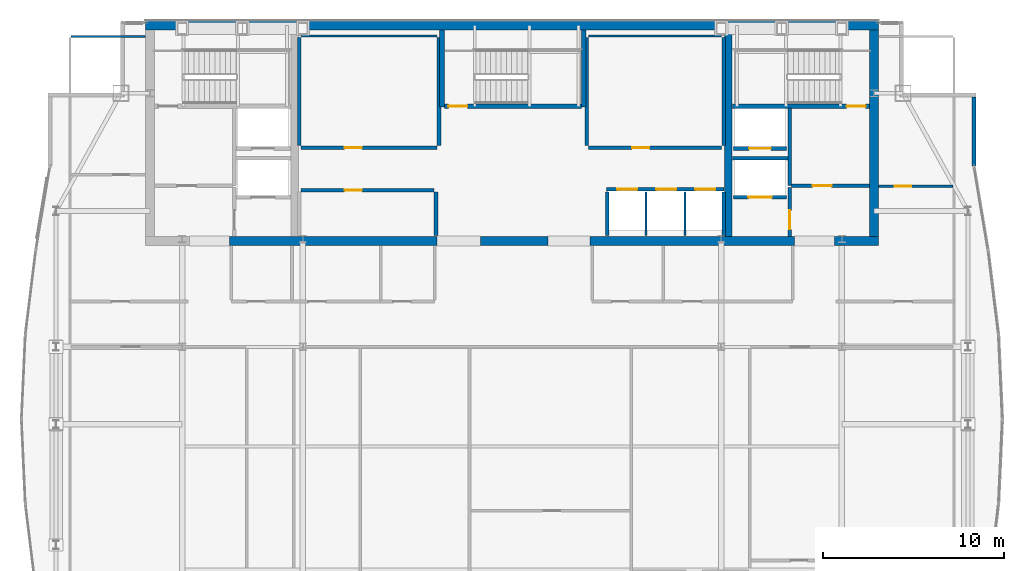
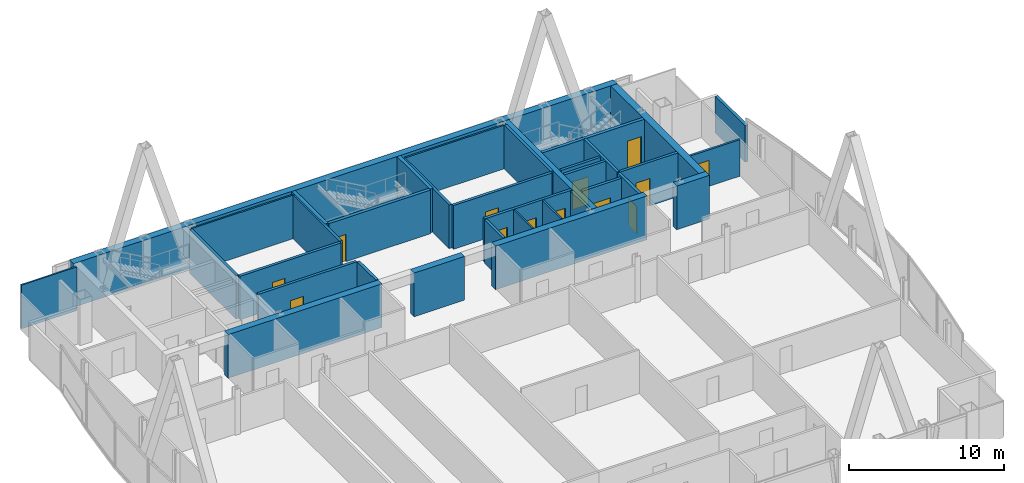
# One storey, part 26 of 29: 35 walls, 13 doors, 13 openings.
"""IFC4 building model written with IfcOpenShell, lengths in metres."""

from ifc_helpers import new_model, si_unit, direction, frame, frame_2d, origin, place, context, subcontext, project, spatial, rectangle, extrude, material, layer, layer_set, type_object, element, fill, save


model = new_model("IFC4")

# Units and contexts
model_context = context("Model", 3, precision=1e-05, world=origin(), true_north=direction((0.0, 1.0)))
body_context = subcontext(model_context, "Body", "Model", "MODEL_VIEW")
ifc_project = project(units=[si_unit("LENGTHUNIT", "METRE"), si_unit("AREAUNIT", "SQUARE_METRE"), si_unit("VOLUMEUNIT", "CUBIC_METRE"), si_unit("PLANEANGLEUNIT", "RADIAN"), si_unit("MASSUNIT", "GRAM", prefix="KILO")], contexts=[model_context])

# Site, building, storey
site_placement = place(None, origin())
site = spatial("IfcSite", under=ifc_project, at=site_placement, CompositionType="ELEMENT")
building_placement = place(site_placement, origin())
building = spatial("IfcBuilding", under=site, at=building_placement, Name="Khoronbel Lancet Exchange", CompositionType="ELEMENT")
storey_placement = place(building_placement, frame((0.0, 0.0, 336.199951171875)))
storey = spatial("IfcBuildingStorey", under=building, at=storey_placement, Name="L87", CompositionType="ELEMENT", Elevation=336.199951171875)

# Walls
ifc_material_1 = material(Name="Concrete C60/75", Category="concrete")
ifc_layer_1 = layer(ifc_material_1, 0.5, Name="Concrete C60/75")
ifc_layer_set_1 = layer_set([ifc_layer_1], Name="Concrete C60/75")
wall_type_1 = type_object("IfcWallType", Name="WL-CW4", PredefinedType="SHEAR", material=ifc_layer_set_1)
wall_1_placement = place(storey_placement, frame((16.199951171875, 53.449951171875, 0.0), z_axis=(0.0, 0.0, 1.0), x_axis=(1.0, 0.0, 0.0)))
element("IfcWall", 1, at=wall_1_placement, inside=storey, type_object=wall_type_1, Name="Level L87 rear core north shear wall", PredefinedType="SHEAR", context=body_context, shape_type="SweptSolid", body=[
    extrude(rectangle(XDim=40.5, YDim=0.5, at=frame_2d((20.25, 0.0))), origin(), (0.0, 0.0, 1.0), 3.43994140625),
])
wall_2_placement = place(storey_placement, frame((56.449951171875, 53.199951171875, 0.0), z_axis=(0.0, 0.0, 1.0), x_axis=(0.0, -1.0, 0.0)))
element("IfcWall", 2, at=wall_2_placement, inside=storey, type_object=wall_type_1, Name="Level L87 rear core east shear wall", PredefinedType="SHEAR", context=body_context, shape_type="SweptSolid", body=[
    extrude(rectangle(XDim=11.39990234375, YDim=0.5, at=frame_2d((5.699951171875, 0.0))), origin(), (0.0, 0.0, 1.0), 3.43994140625),
])
wall_3_placement = place(storey_placement, frame((32.300048828125, 41.550048828125, 0.0), z_axis=(0.0, 0.0, 1.0), x_axis=(-1.0, 0.0, 0.0)))
element("IfcWall", 3, at=wall_3_placement, inside=storey, type_object=wall_type_1, Name="Level L87 rear core south shear wall pier P2", PredefinedType="SHEAR", context=body_context, shape_type="SweptSolid", body=[
    extrude(rectangle(XDim=11.449951171875, YDim=0.5, at=frame_2d((5.72509765625, 0.0))), origin(), (0.0, 0.0, 1.0), 3.43994140625),
])
wall_4_placement = place(storey_placement, frame((38.449951171875, 41.550048828125, 0.0), z_axis=(0.0, 0.0, 1.0), x_axis=(-1.0, 0.0, 0.0)))
element("IfcWall", 4, at=wall_4_placement, inside=storey, type_object=wall_type_1, Name="Level L87 rear core south shear wall pier P3", PredefinedType="SHEAR", context=body_context, shape_type="SweptSolid", body=[
    extrude(rectangle(XDim=3.75, YDim=0.5, at=frame_2d((1.875, 0.0))), origin(), (0.0, 0.0, 1.0), 3.43994140625),
])
wall_5_placement = place(storey_placement, frame((52.050048828125, 41.550048828125, 0.0), z_axis=(0.0, 0.0, 1.0), x_axis=(-1.0, 0.0, 0.0)))
element("IfcWall", 5, at=wall_5_placement, inside=storey, type_object=wall_type_1, Name="Level L87 rear core south shear wall pier P4", PredefinedType="SHEAR", context=body_context, shape_type="SweptSolid", body=[
    extrude(rectangle(XDim=11.300048828125, YDim=0.5, at=frame_2d((5.64990234375, 0.0))), origin(), (0.0, 0.0, 1.0), 3.43994140625),
])
wall_6_placement = place(storey_placement, frame((56.699951171875, 41.550048828125, 0.0), z_axis=(0.0, 0.0, 1.0), x_axis=(-1.0, 0.0, 0.0)))
element("IfcWall", 6, at=wall_6_placement, inside=storey, type_object=wall_type_1, Name="Level L87 rear core south shear wall pier P5", PredefinedType="SHEAR", context=body_context, shape_type="SweptSolid", body=[
    extrude(rectangle(XDim=2.449951171875, YDim=0.5, at=frame_2d((1.22509765625, 0.0))), origin(), (0.0, 0.0, 1.0), 3.43994140625),
])
ifc_material_2 = material(Name="Precast concrete C40/50", Category="concrete")
ifc_layer_2 = layer(ifc_material_2, 0.25, Name="Precast concrete C40/50")
ifc_layer_set_2 = layer_set([ifc_layer_2], Name="Precast concrete C40/50")
wall_type_2 = type_object("IfcWallType", Name="WL-EXT250", PredefinedType="SOLIDWALL", material=ifc_layer_set_2)
wall_7_placement = place(storey_placement, frame((61.9599609375, 49.5, 0.0), z_axis=(0.0, 0.0, 1.0), x_axis=(0.0, -1.0, 0.0)))
element("IfcWall", 7, at=wall_7_placement, inside=storey, type_object=wall_type_2, Name="Level L87 notched-corner limestone pier 16", PredefinedType="SOLIDWALL", context=body_context, shape_type="SweptSolid", body=[
    extrude(rectangle(XDim=3.827392578125, YDim=0.219970703125, at=frame_2d((1.91357421875, 0.0))), origin(), (0.0, 0.0, 1.0), 2.880126953125),
])

# Wall, opening, door
ifc_material_3 = material(Name="Acoustic Metal-Stud & Mineral-Wool Gypsum Partition 120 mm", Category="gypsum")
ifc_layer_3 = layer(ifc_material_3, 0.1201171875, Name="Acoustic Metal-Stud & Mineral-Wool Gypsum Partition 120 mm")
ifc_layer_set_3 = layer_set([ifc_layer_3], Name="Acoustic Metal-Stud & Mineral-Wool Gypsum Partition 120 mm")
wall_type_3 = type_object("IfcWallType", Name="WL-PRT120", PredefinedType="PARTITIONING", material=ifc_layer_set_3)
wall_8_placement = place(storey_placement, frame((56.699951171875, 44.56005859375, 0.0), z_axis=(0.0, 0.0, 1.0), x_axis=(1.0, 0.0, 0.0)))
wall_8 = element("IfcWall", 8, at=wall_8_placement, inside=storey, type_object=wall_type_3, Name="Level L87 interior partition PW-NE-H", PredefinedType="PARTITIONING", context=body_context, shape_type="SweptSolid", body=[
    extrude(rectangle(XDim=4.10498046875, YDim=0.14990234375, at=frame_2d((2.052490234375, 0.0))), origin(), (0.0, 0.0, 1.0), 2.880126953125),
])
opening_1_placement = place(wall_8_placement, frame((0.89990234375, 0.0, 0.0)))
opening_1 = element("IfcOpeningElement", 9, at=opening_1_placement, cuts=wall_8, Name="Opening D5", PredefinedType="OPENING", context=body_context, shape_type="SweptSolid", body=[
    extrude(rectangle(XDim=0.89990234375, YDim=2.050048828125, at=frame_2d((0.449951171875, 1.02490234375))), frame((0.0, 0.0849609375, 0.0), z_axis=(0.0, -1.0, 0.0), x_axis=(1.0, 0.0, 0.0)), (0.0, 0.0, 1.0), 0.169921875),
])
ifc_material_4 = material(Name="Acoustic Timber Pantry & Support Door", Category="wood")
door_type_1 = type_object("IfcDoorType", Name="DR-D5", OperationType="NOTDEFINED", PredefinedType="DOOR", material=ifc_material_4)
door_1_placement = place(opening_1_placement, origin())
door_1 = element("IfcDoor", 10, at=door_1_placement, inside=storey, type_object=door_type_1, Name="NE north room door L87-1", OperationType="SINGLE_SWING_LEFT", OverallHeight=2.050048828125, OverallWidth=0.89990234375, PredefinedType="DOOR", context=body_context, shape_type="SweptSolid", body=[
    extrude(rectangle(XDim=0.89990234375, YDim=2.050048828125, at=frame_2d((0.449951171875, 1.02490234375))), frame((0.0, 0.02490234375, 0.0), z_axis=(0.0, -1.0, 0.0), x_axis=(1.0, 0.0, 0.0)), (0.0, 0.0, 1.0), 0.050048828125),
])
fill(opening_1, door_1)

# Walls
wall_9_placement = place(storey_placement, frame((12.094970703125, 52.840087890625, 0.0), z_axis=(0.0, 0.0, 1.0), x_axis=(1.0, 0.0, 0.0)))
element("IfcWall", 11, at=wall_9_placement, inside=storey, type_object=wall_type_3, Name="Level L87 interior partition PW-LIN-NW", PredefinedType="PARTITIONING", context=body_context, shape_type="SweptSolid", body=[
    extrude(rectangle(XDim=4.10498046875, YDim=0.1201171875, at=frame_2d((2.052490234375, 0.0))), origin(), (0.0, 0.0, 1.0), 3.43994140625),
])
ifc_material_5 = material(Name="Fire-Rated Metal-Stud & Mineral-Wool Gypsum Partition 120 mm", Category="gypsum")
ifc_layer_4 = layer(ifc_material_5, 0.1201171875, Name="Fire-Rated Metal-Stud & Mineral-Wool Gypsum Partition 120 mm")
ifc_layer_set_4 = layer_set([ifc_layer_4], Name="Fire-Rated Metal-Stud & Mineral-Wool Gypsum Partition 120 mm")
wall_type_4 = type_object("IfcWallType", Name="WL-PRT120F", PredefinedType="PARTITIONING", material=ifc_layer_set_4)
wall_10_placement = place(storey_placement, frame((24.804931640625, 52.860107421875, 0.0), z_axis=(0.0, 0.0, 1.0), x_axis=(1.0, 0.0, 0.0)))
element("IfcWall", 12, at=wall_10_placement, inside=storey, type_object=wall_type_4, Name="Level L87 interior partition CW-PL-RN", PredefinedType="PARTITIONING", context=body_context, shape_type="SweptSolid", body=[
    extrude(rectangle(XDim=7.510009765625, YDim=0.1201171875, at=frame_2d((3.7548828125, 0.0))), origin(), (0.0, 0.0, 1.0), 3.43994140625),
])
wall_11_placement = place(storey_placement, frame((40.68505859375, 52.860107421875, 0.0), z_axis=(0.0, 0.0, 1.0), x_axis=(1.0, 0.0, 0.0)))
element("IfcWall", 13, at=wall_11_placement, inside=storey, type_object=wall_type_4, Name="Level L87 interior partition CW-PH-RN", PredefinedType="PARTITIONING", context=body_context, shape_type="SweptSolid", body=[
    extrude(rectangle(XDim=7.349853515625, YDim=0.1201171875, at=frame_2d((3.6748046875, 0.0))), origin(), (0.0, 0.0, 1.0), 3.43994140625),
])
for number, where, z_axis, x_axis, name in (
    (14, (43.860107421875, 41.85009765625, 0.0), (0.0, 0.0, 1.0), (0.0, 1.0, 0.0), "Level L87 interior partition CW-PX-D1"),
    (15, (46.0, 41.85009765625, 0.0), (0.0, 0.0, 1.0), (0.0, 1.0, 0.0), "Level L87 interior partition CW-PX-D2"),
):
    element("IfcWall", number, at=place(storey_placement, frame(where, z_axis=z_axis, x_axis=x_axis)), inside=storey, type_object=wall_type_4, Name=name, PredefinedType="PARTITIONING", context=body_context, shape_type="SweptSolid", body=[
        extrude(rectangle(XDim=2.39990234375, YDim=0.1201171875, at=frame_2d((1.199951171875, 0.0))), origin(), (0.0, 0.0, 1.0), 3.43994140625),
    ])

# Wall, openings, doors
ifc_material_6 = material(Name="Autoclaved Aerated Concrete Blockwork 200 mm", Category="masonry")
ifc_layer_5 = layer(ifc_material_6, 0.199951171875, Name="Autoclaved Aerated Concrete Blockwork 200 mm")
ifc_layer_set_5 = layer_set([ifc_layer_5], Name="Autoclaved Aerated Concrete Blockwork 200 mm")
wall_type_5 = type_object("IfcWallType", Name="WL-PRT200", PredefinedType="PARTITIONING", material=ifc_layer_set_5)
wall_12_placement = place(storey_placement, frame((41.679931640625, 44.39990234375, 0.0), z_axis=(0.0, 0.0, 1.0), x_axis=(1.0, 0.0, 0.0)))
wall_12 = element("IfcWall", 16, at=wall_12_placement, inside=storey, type_object=wall_type_5, Name="Level L87 elevator hoistway landing front wall PXE", PredefinedType="PARTITIONING", context=body_context, shape_type="SweptSolid", body=[
    extrude(rectangle(XDim=6.47998046875, YDim=0.199951171875, at=frame_2d((3.239990234375, 0.0))), origin(), (0.0, 0.0, 1.0), 3.43994140625),
])
opening_2_placement = place(wall_12_placement, frame((0.580078125, 0.0, 0.0)))
opening_2 = element("IfcOpeningElement", 17, at=opening_2_placement, cuts=wall_12, Name="Opening LD-PX1", PredefinedType="OPENING", context=body_context, shape_type="SweptSolid", body=[
    extrude(rectangle(XDim=1.10009765625, YDim=2.179931640625, at=frame_2d((0.550048828125, 1.08984375))), frame((0.0, 0.10986328125, 0.0), z_axis=(0.0, -1.0, 0.0), x_axis=(1.0, 0.0, 0.0)), (0.0, 0.0, 1.0), 0.219970703125),
])
opening_3_placement = place(wall_12_placement, frame((2.739990234375, 0.0, 0.0)))
opening_3 = element("IfcOpeningElement", 18, at=opening_3_placement, cuts=wall_12, Name="Opening LD-PX2", PredefinedType="OPENING", context=body_context, shape_type="SweptSolid", body=[
    extrude(rectangle(XDim=1.10009765625, YDim=2.179931640625, at=frame_2d((0.550048828125, 1.08984375))), frame((0.0, 0.10986328125, 0.0), z_axis=(0.0, -1.0, 0.0), x_axis=(1.0, 0.0, 0.0)), (0.0, 0.0, 1.0), 0.219970703125),
])
opening_4_placement = place(wall_12_placement, frame((4.89990234375, 0.0, 0.0)))
opening_4 = element("IfcOpeningElement", 19, at=opening_4_placement, cuts=wall_12, Name="Opening LD-PX3", PredefinedType="OPENING", context=body_context, shape_type="SweptSolid", body=[
    extrude(rectangle(XDim=1.10009765625, YDim=2.179931640625, at=frame_2d((0.550048828125, 1.08984375))), frame((0.0, 0.10986328125, 0.0), z_axis=(0.0, -1.0, 0.0), x_axis=(1.0, 0.0, 0.0)), (0.0, 0.0, 1.0), 0.219970703125),
])
ifc_material_7 = material(Name="Brushed Bronze Bi-Parting Elevator Landing Door", Category="steel")
door_type_2 = type_object("IfcDoorType", Name="DR-LD-PAX", OperationType="NOTDEFINED", PredefinedType="DOOR", material=ifc_material_7)
door_2_placement = place(opening_2_placement, origin())
door_2 = element("IfcDoor", 20, at=door_2_placement, inside=storey, type_object=door_type_2, Name="Elevator landing sliding door LD-PX1 L87", OperationType="SLIDING_TO_LEFT", OverallHeight=2.179931640625, OverallWidth=1.10009765625, PredefinedType="DOOR", context=body_context, shape_type="SweptSolid", body=[
    extrude(rectangle(XDim=1.10009765625, YDim=2.179931640625, at=frame_2d((0.550048828125, 1.08984375))), frame((0.0, 0.02490234375, 0.0), z_axis=(0.0, -1.0, 0.0), x_axis=(1.0, 0.0, 0.0)), (0.0, 0.0, 1.0), 0.050048828125),
])
fill(opening_2, door_2)
door_3_placement = place(opening_3_placement, origin())
door_3 = element("IfcDoor", 21, at=door_3_placement, inside=storey, type_object=door_type_2, Name="Elevator landing sliding door LD-PX2 L87", OperationType="SLIDING_TO_LEFT", OverallHeight=2.179931640625, OverallWidth=1.10009765625, PredefinedType="DOOR", context=body_context, shape_type="SweptSolid", body=[
    extrude(rectangle(XDim=1.10009765625, YDim=2.179931640625, at=frame_2d((0.550048828125, 1.08984375))), frame((0.0, 0.02490234375, 0.0), z_axis=(0.0, -1.0, 0.0), x_axis=(1.0, 0.0, 0.0)), (0.0, 0.0, 1.0), 0.050048828125),
])
fill(opening_3, door_3)
door_4_placement = place(opening_4_placement, origin())
door_4 = element("IfcDoor", 22, at=door_4_placement, inside=storey, type_object=door_type_2, Name="Elevator landing sliding door LD-PX3 L87", OperationType="SLIDING_TO_LEFT", OverallHeight=2.179931640625, OverallWidth=1.10009765625, PredefinedType="DOOR", context=body_context, shape_type="SweptSolid", body=[
    extrude(rectangle(XDim=1.10009765625, YDim=2.179931640625, at=frame_2d((0.550048828125, 1.08984375))), frame((0.0, 0.02490234375, 0.0), z_axis=(0.0, -1.0, 0.0), x_axis=(1.0, 0.0, 0.0)), (0.0, 0.0, 1.0), 0.050048828125),
])
fill(opening_4, door_4)

# Wall, opening, door
wall_13_placement = place(storey_placement, frame((51.610107421875, 43.949951171875, 0.0), z_axis=(0.0, 0.0, 1.0), x_axis=(-1.0, 0.0, 0.0)))
wall_13 = element("IfcWall", 23, at=wall_13_placement, inside=storey, type_object=wall_type_5, Name="Level L87 elevator hoistway landing front wall SVLE", PredefinedType="PARTITIONING", context=body_context, shape_type="SweptSolid", body=[
    extrude(rectangle(XDim=2.920166015625, YDim=0.199951171875, at=frame_2d((1.4599609375, 0.0))), origin(), (0.0, 0.0, 1.0), 3.43994140625),
])
opening_5_placement = place(wall_13_placement, frame((0.81005859375, 0.0, 0.0)))
opening_5 = element("IfcOpeningElement", 24, at=opening_5_placement, cuts=wall_13, Name="Opening LD-SVL2", PredefinedType="OPENING", context=body_context, shape_type="SweptSolid", body=[
    extrude(rectangle(XDim=1.300048828125, YDim=2.179931640625, at=frame_2d((0.64990234375, 1.08984375))), frame((0.0, 0.10986328125, 0.0), z_axis=(0.0, -1.0, 0.0), x_axis=(1.0, 0.0, 0.0)), (0.0, 0.0, 1.0), 0.219970703125),
])
ifc_material_8 = material(Name="Heavy-Duty Bi-Parting Goods Lift Landing Door", Category="steel")
door_type_3 = type_object("IfcDoorType", Name="DR-LD-SVL", OperationType="NOTDEFINED", PredefinedType="DOOR", material=ifc_material_8)
door_5_placement = place(opening_5_placement, origin())
door_5 = element("IfcDoor", 25, at=door_5_placement, inside=storey, type_object=door_type_3, Name="Elevator landing sliding door LD-SVL2 L87", OperationType="SLIDING_TO_LEFT", OverallHeight=2.179931640625, OverallWidth=1.300048828125, PredefinedType="DOOR", context=body_context, shape_type="SweptSolid", body=[
    extrude(rectangle(XDim=1.300048828125, YDim=2.179931640625, at=frame_2d((0.64990234375, 1.08984375))), frame((0.0, 0.02490234375, 0.0), z_axis=(0.0, -1.0, 0.0), x_axis=(1.0, 0.0, 0.0)), (0.0, 0.0, 1.0), 0.050048828125),
])
fill(opening_5, door_5)

wall_14_placement = place(storey_placement, frame((51.610107421875, 46.64990234375, 0.0), z_axis=(0.0, 0.0, 1.0), x_axis=(-1.0, 0.0, 0.0)))
wall_14 = element("IfcWall", 26, at=wall_14_placement, inside=storey, type_object=wall_type_5, Name="Level L87 elevator hoistway landing front wall FFLE", PredefinedType="PARTITIONING", context=body_context, shape_type="SweptSolid", body=[
    extrude(rectangle(XDim=2.920166015625, YDim=0.199951171875, at=frame_2d((1.4599609375, 0.0))), origin(), (0.0, 0.0, 1.0), 3.43994140625),
])
opening_6_placement = place(wall_14_placement, frame((0.860107421875, 0.0, 0.0)))
opening_6 = element("IfcOpeningElement", 27, at=opening_6_placement, cuts=wall_14, Name="Opening LD-FFL2", PredefinedType="OPENING", context=body_context, shape_type="SweptSolid", body=[
    extrude(rectangle(XDim=1.199951171875, YDim=2.179931640625, at=frame_2d((0.60009765625, 1.08984375))), frame((0.0, 0.10986328125, 0.0), z_axis=(0.0, -1.0, 0.0), x_axis=(1.0, 0.0, 0.0)), (0.0, 0.0, 1.0), 0.219970703125),
])
ifc_material_9 = material(Name="Fire-Rated Stainless Bi-Parting Firefighting Lift Door", Category="steel")
door_type_4 = type_object("IfcDoorType", Name="DR-LD-FFL", OperationType="NOTDEFINED", PredefinedType="DOOR", material=ifc_material_9)
door_6_placement = place(opening_6_placement, origin())
door_6 = element("IfcDoor", 28, at=door_6_placement, inside=storey, type_object=door_type_4, Name="Elevator landing sliding door LD-FFL2 L87", OperationType="SLIDING_TO_LEFT", OverallHeight=2.179931640625, OverallWidth=1.199951171875, PredefinedType="DOOR", context=body_context, shape_type="SweptSolid", body=[
    extrude(rectangle(XDim=1.199951171875, YDim=2.179931640625, at=frame_2d((0.60009765625, 1.08984375))), frame((0.0, 0.02490234375, 0.0), z_axis=(0.0, -1.0, 0.0), x_axis=(1.0, 0.0, 0.0)), (0.0, 0.0, 1.0), 0.050048828125),
])
fill(opening_6, door_6)

# Wall
wall_15_placement = place(storey_placement, frame((51.800048828125, 44.60009765625, 0.0), z_axis=(0.0, 0.0, 1.0), x_axis=(0.0, 1.0, 0.0)))
element("IfcWall", 29, at=wall_15_placement, inside=storey, type_object=wall_type_5, Name="Level L87 interior partition CW-FFLE-W", PredefinedType="PARTITIONING", context=body_context, shape_type="SweptSolid", body=[
    extrude(rectangle(XDim=4.2998046875, YDim=0.199951171875, at=frame_2d((2.14990234375, 0.0))), origin(), (0.0, 0.0, 1.0), 3.43994140625),
])

# Wall, opening, door
wall_16_placement = place(storey_placement, frame((51.89990234375, 44.60009765625, 0.0), z_axis=(0.0, 0.0, 1.0), x_axis=(1.0, 0.0, 0.0)))
wall_16 = element("IfcWall", 30, at=wall_16_placement, inside=storey, type_object=wall_type_5, Name="Level L87 interior partition CW-FFLE-S", PredefinedType="PARTITIONING", context=body_context, shape_type="SweptSolid", body=[
    extrude(rectangle(XDim=4.300048828125, YDim=0.199951171875, at=frame_2d((2.14990234375, 0.0))), origin(), (0.0, 0.0, 1.0), 3.43994140625),
])
opening_7_placement = place(wall_16_placement, frame((1.14990234375, 0.0, 0.0)))
opening_7 = element("IfcOpeningElement", 31, at=opening_7_placement, cuts=wall_16, Name="Opening FD1", PredefinedType="OPENING", context=body_context, shape_type="SweptSolid", body=[
    extrude(rectangle(XDim=1.050048828125, YDim=2.14990234375, at=frame_2d((0.52490234375, 1.074951171875))), frame((0.0, 0.10986328125, 0.0), z_axis=(0.0, -1.0, 0.0), x_axis=(1.0, 0.0, 0.0)), (0.0, 0.0, 1.0), 0.219970703125),
])
ifc_material_10 = material(Name="Fire-Rated Painted Steel Door Assembly", Category="steel")
door_type_5 = type_object("IfcDoorType", Name="DR-FD1", OperationType="NOTDEFINED", PredefinedType="DOOR", material=ifc_material_10)
door_7_placement = place(opening_7_placement, origin())
door_7 = element("IfcDoor", 32, at=door_7_placement, inside=storey, type_object=door_type_5, Name="East firefighting lobby FD90S door L87-1", OperationType="SINGLE_SWING_RIGHT", OverallHeight=2.14990234375, OverallWidth=1.050048828125, PredefinedType="DOOR", context=body_context, shape_type="SweptSolid", body=[
    extrude(rectangle(XDim=1.050048828125, YDim=2.14990234375, at=frame_2d((0.52490234375, 1.074951171875))), frame((0.0, 0.02490234375, 0.0), z_axis=(0.0, -1.0, 0.0), x_axis=(1.0, 0.0, 0.0)), (0.0, 0.0, 1.0), 0.050048828125),
])
fill(opening_7, door_7)

# Wall
wall_17_placement = place(storey_placement, frame((48.6298828125, 46.1201171875, 0.0), z_axis=(0.0, 0.0, 1.0), x_axis=(1.0, 0.0, 0.0)))
element("IfcWall", 33, at=wall_17_placement, inside=storey, type_object=wall_type_5, Name="Level L87 interior partition CW-FFL2-S", PredefinedType="PARTITIONING", context=body_context, shape_type="SweptSolid", body=[
    extrude(rectangle(XDim=3.070068359375, YDim=0.199951171875, at=frame_2d((1.53515625, 0.0))), origin(), (0.0, 0.0, 1.0), 3.43994140625),
])

# Wall, opening, door
wall_18_placement = place(storey_placement, frame((51.800048828125, 41.800048828125, 0.0), z_axis=(0.0, 0.0, 1.0), x_axis=(0.0, 1.0, 0.0)))
wall_18 = element("IfcWall", 34, at=wall_18_placement, inside=storey, type_object=wall_type_5, Name="Level L87 interior partition CW-SVLE-E", PredefinedType="PARTITIONING", context=body_context, shape_type="SweptSolid", body=[
    extrude(rectangle(XDim=2.695068359375, YDim=0.199951171875, at=frame_2d((1.34765625, 0.0))), origin(), (0.0, 0.0, 1.0), 3.43994140625),
])
opening_8_placement = place(wall_18_placement, frame((0.3798828125, 0.0, 0.0)))
opening_8 = element("IfcOpeningElement", 35, at=opening_8_placement, cuts=wall_18, Name="Opening FD1", PredefinedType="OPENING", context=body_context, shape_type="SweptSolid", body=[
    extrude(rectangle(XDim=1.050048828125, YDim=2.14990234375, at=frame_2d((0.52490234375, 1.074951171875))), frame((0.0, 0.10986328125, 0.0), z_axis=(0.0, -1.0, 0.0), x_axis=(1.0, 0.0, 0.0)), (0.0, 0.0, 1.0), 0.219970703125),
])
door_8_placement = place(opening_8_placement, origin())
door_8 = element("IfcDoor", 36, at=door_8_placement, inside=storey, type_object=door_type_5, Name="East service lift lobby door L87-1", OperationType="SINGLE_SWING_LEFT", OverallHeight=2.14990234375, OverallWidth=1.050048828125, PredefinedType="DOOR", context=body_context, shape_type="SweptSolid", body=[
    extrude(rectangle(XDim=1.050048828125, YDim=2.14990234375, at=frame_2d((0.52490234375, 1.074951171875))), frame((0.0, 0.02490234375, 0.0), z_axis=(0.0, -1.0, 0.0), x_axis=(1.0, 0.0, 0.0)), (0.0, 0.0, 1.0), 0.050048828125),
])
fill(opening_8, door_8)

# Walls
for number, where, z_axis, x_axis, name in (
    (37, (24.699951171875, 46.804931640625, 0.0), (0.0, 0.0, 1.0), (0.0, 1.0, 0.0), "Level L87 interior partition CW-PL-RW"),
    (38, (32.419921875, 46.804931640625, 0.0), (0.0, 0.0, 1.0), (0.0, 1.0, 0.0), "Level L87 interior partition CW-PL-RE"),
):
    element("IfcWall", number, at=place(storey_placement, frame(where, z_axis=z_axis, x_axis=x_axis)), inside=storey, type_object=wall_type_5, Name=name, PredefinedType="PARTITIONING", context=body_context, shape_type="SweptSolid", body=[
        extrude(rectangle(XDim=5.989990234375, YDim=0.199951171875, at=frame_2d((2.9951171875, 0.0))), origin(), (0.0, 0.0, 1.0), 3.43994140625),
    ])

# Wall, opening, door
wall_19_placement = place(storey_placement, frame((24.804931640625, 46.699951171875, 0.0), z_axis=(0.0, 0.0, 1.0), x_axis=(1.0, 0.0, 0.0)))
wall_19 = element("IfcWall", 39, at=wall_19_placement, inside=storey, type_object=wall_type_5, Name="Level L87 interior partition CW-PL-RF", PredefinedType="PARTITIONING", context=body_context, shape_type="SweptSolid", body=[
    extrude(rectangle(XDim=7.510009765625, YDim=0.199951171875, at=frame_2d((3.7548828125, 0.0))), origin(), (0.0, 0.0, 1.0), 3.43994140625),
])
opening_9_placement = place(wall_19_placement, frame((2.39990234375, 0.0, 0.0)))
opening_9 = element("IfcOpeningElement", 40, at=opening_9_placement, cuts=wall_19, Name="Opening FD3", PredefinedType="OPENING", context=body_context, shape_type="SweptSolid", body=[
    extrude(rectangle(XDim=0.949951171875, YDim=2.10009765625, at=frame_2d((0.47509765625, 1.050048828125))), frame((0.0, 0.10986328125, 0.0), z_axis=(0.0, -1.0, 0.0), x_axis=(1.0, 0.0, 0.0)), (0.0, 0.0, 1.0), 0.219970703125),
])
ifc_material_11 = material(Name="Fire-Rated Steel Plant & Riser Door Assembly", Category="steel")
door_type_6 = type_object("IfcDoorType", Name="DR-FD3", OperationType="NOTDEFINED", PredefinedType="DOOR", material=ifc_material_11)
door_9_placement = place(opening_9_placement, origin())
door_9 = element("IfcDoor", 41, at=door_9_placement, inside=storey, type_object=door_type_6, Name="Reclaimed PL room door L87-1", OperationType="SINGLE_SWING_RIGHT", OverallHeight=2.10009765625, OverallWidth=0.949951171875, PredefinedType="DOOR", context=body_context, shape_type="SweptSolid", body=[
    extrude(rectangle(XDim=0.949951171875, YDim=2.10009765625, at=frame_2d((0.47509765625, 1.050048828125))), frame((0.0, 0.02490234375, 0.0), z_axis=(0.0, -1.0, 0.0), x_axis=(1.0, 0.0, 0.0)), (0.0, 0.0, 1.0), 0.050048828125),
])
fill(opening_9, door_9)

# Wall
wall_20_placement = place(storey_placement, frame((32.25, 41.85009765625, 0.0), z_axis=(0.0, 0.0, 1.0), x_axis=(0.0, 1.0, 0.0)))
element("IfcWall", 42, at=wall_20_placement, inside=storey, type_object=wall_type_5, Name="Level L87 interior partition CW-PM-RE", PredefinedType="PARTITIONING", context=body_context, shape_type="SweptSolid", body=[
    extrude(rectangle(XDim=2.39501953125, YDim=0.199951171875, at=frame_2d((1.197509765625, 0.0))), origin(), (0.0, 0.0, 1.0), 3.43994140625),
])

# Wall, opening, door
wall_21_placement = place(storey_placement, frame((24.804931640625, 44.35009765625, 0.0), z_axis=(0.0, 0.0, 1.0), x_axis=(1.0, 0.0, 0.0)))
wall_21 = element("IfcWall", 43, at=wall_21_placement, inside=storey, type_object=wall_type_5, Name="Level L87 interior partition CW-PM-RF", PredefinedType="PARTITIONING", context=body_context, shape_type="SweptSolid", body=[
    extrude(rectangle(XDim=7.340087890625, YDim=0.199951171875, at=frame_2d((3.669921875, 0.0))), origin(), (0.0, 0.0, 1.0), 3.43994140625),
])
opening_10_placement = place(wall_21_placement, frame((2.39990234375, 0.0, 0.0)))
opening_10 = element("IfcOpeningElement", 44, at=opening_10_placement, cuts=wall_21, Name="Opening FD3", PredefinedType="OPENING", context=body_context, shape_type="SweptSolid", body=[
    extrude(rectangle(XDim=0.949951171875, YDim=2.10009765625, at=frame_2d((0.47509765625, 1.050048828125))), frame((0.0, 0.10986328125, 0.0), z_axis=(0.0, -1.0, 0.0), x_axis=(1.0, 0.0, 0.0)), (0.0, 0.0, 1.0), 0.219970703125),
])
door_10_placement = place(opening_10_placement, origin())
door_10 = element("IfcDoor", 45, at=door_10_placement, inside=storey, type_object=door_type_6, Name="Reclaimed PM room door L87-1", OperationType="SINGLE_SWING_LEFT", OverallHeight=2.10009765625, OverallWidth=0.949951171875, PredefinedType="DOOR", context=body_context, shape_type="SweptSolid", body=[
    extrude(rectangle(XDim=0.949951171875, YDim=2.10009765625, at=frame_2d((0.47509765625, 1.050048828125))), frame((0.0, 0.02490234375, 0.0), z_axis=(0.0, -1.0, 0.0), x_axis=(1.0, 0.0, 0.0)), (0.0, 0.0, 1.0), 0.050048828125),
])
fill(opening_10, door_10)

# Walls
for number, where, z_axis, x_axis, name in (
    (46, (40.580078125, 46.804931640625, 0.0), (0.0, 0.0, 1.0), (0.0, 1.0, 0.0), "Level L87 interior partition CW-PH-RW"),
    (47, (48.139892578125, 46.804931640625, 0.0), (0.0, 0.0, 1.0), (0.0, 1.0, 0.0), "Level L87 interior partition CW-PH-RE"),
):
    element("IfcWall", number, at=place(storey_placement, frame(where, z_axis=z_axis, x_axis=x_axis)), inside=storey, type_object=wall_type_5, Name=name, PredefinedType="PARTITIONING", context=body_context, shape_type="SweptSolid", body=[
        extrude(rectangle(XDim=5.989990234375, YDim=0.199951171875, at=frame_2d((2.9951171875, 0.0))), origin(), (0.0, 0.0, 1.0), 3.43994140625),
    ])

# Wall, opening, door
wall_22_placement = place(storey_placement, frame((40.68505859375, 46.699951171875, 0.0), z_axis=(0.0, 0.0, 1.0), x_axis=(1.0, 0.0, 0.0)))
wall_22 = element("IfcWall", 48, at=wall_22_placement, inside=storey, type_object=wall_type_5, Name="Level L87 interior partition CW-PH-RF", PredefinedType="PARTITIONING", context=body_context, shape_type="SweptSolid", body=[
    extrude(rectangle(XDim=7.349853515625, YDim=0.199951171875, at=frame_2d((3.6748046875, 0.0))), origin(), (0.0, 0.0, 1.0), 3.43994140625),
])
opening_11_placement = place(wall_22_placement, frame((2.39990234375, 0.0, 0.0)))
opening_11 = element("IfcOpeningElement", 49, at=opening_11_placement, cuts=wall_22, Name="Opening FD3", PredefinedType="OPENING", context=body_context, shape_type="SweptSolid", body=[
    extrude(rectangle(XDim=0.949951171875, YDim=2.10009765625, at=frame_2d((0.47509765625, 1.050048828125))), frame((0.0, 0.10986328125, 0.0), z_axis=(0.0, -1.0, 0.0), x_axis=(1.0, 0.0, 0.0)), (0.0, 0.0, 1.0), 0.219970703125),
])
door_11_placement = place(opening_11_placement, origin())
door_11 = element("IfcDoor", 50, at=door_11_placement, inside=storey, type_object=door_type_6, Name="Reclaimed PH room door L87-1", OperationType="SINGLE_SWING_RIGHT", OverallHeight=2.10009765625, OverallWidth=0.949951171875, PredefinedType="DOOR", context=body_context, shape_type="SweptSolid", body=[
    extrude(rectangle(XDim=0.949951171875, YDim=2.10009765625, at=frame_2d((0.47509765625, 1.050048828125))), frame((0.0, 0.02490234375, 0.0), z_axis=(0.0, -1.0, 0.0), x_axis=(1.0, 0.0, 0.0)), (0.0, 0.0, 1.0), 0.050048828125),
])
fill(opening_11, door_11)

# Walls
for number, where, z_axis, x_axis, name in (
    (51, (41.719970703125, 41.85009765625, 0.0), (0.0, 0.0, 1.0), (0.0, 1.0, 0.0), "Level L87 interior partition CW-PX-W"),
    (52, (48.139892578125, 41.85009765625, 0.0), (0.0, 0.0, 1.0), (0.0, 1.0, 0.0), "Level L87 interior partition CW-PX-E"),
):
    element("IfcWall", number, at=place(storey_placement, frame(where, z_axis=z_axis, x_axis=x_axis)), inside=storey, type_object=wall_type_5, Name=name, PredefinedType="PARTITIONING", context=body_context, shape_type="SweptSolid", body=[
        extrude(rectangle(XDim=2.39990234375, YDim=0.199951171875, at=frame_2d((1.199951171875, 0.0))), origin(), (0.0, 0.0, 1.0), 3.43994140625),
    ])
ifc_layer_6 = layer(ifc_material_1, 0.39990234375, Name="Concrete C60/75")
ifc_layer_set_6 = layer_set([ifc_layer_6], Name="Concrete C60/75")
wall_type_6 = type_object("IfcWallType", Name="WL-SW2", PredefinedType="SHEAR", material=ifc_layer_set_6)
wall_23_placement = place(storey_placement, frame((48.39990234375, 41.800048828125, 0.0), z_axis=(0.0, 0.0, 1.0), x_axis=(0.0, 1.0, 0.0)))
element("IfcWall", 53, at=wall_23_placement, inside=storey, type_object=wall_type_6, Name="Level L87 rear core internal spine shear wall IE", PredefinedType="SHEAR", context=body_context, shape_type="SweptSolid", body=[
    extrude(rectangle(XDim=11.39990234375, YDim=0.39990234375, at=frame_2d((5.699951171875, 0.0))), origin(), (0.0, 0.0, 1.0), 3.43994140625),
])
ifc_layer_7 = layer(ifc_material_1, 0.260009765625, Name="Concrete C60/75")
ifc_layer_set_7 = layer_set([ifc_layer_7], Name="Concrete C60/75")
wall_type_7 = type_object("IfcWallType", Name="WL-SW3", PredefinedType="SHEAR", material=ifc_layer_set_7)
for number, where, z_axis, x_axis, name in (
    (54, (32.580078125, 48.949951171875, 0.0), (0.0, 0.0, 1.0), (0.0, 1.0, 0.0), "Level L87 central stairwell structural shear wall ST3W"),
    (55, (40.419921875, 48.949951171875, 0.0), (0.0, 0.0, 1.0), (0.0, 1.0, 0.0), "Level L87 central stairwell structural shear wall ST3E"),
):
    element("IfcWall", number, at=place(storey_placement, frame(where, z_axis=z_axis, x_axis=x_axis)), inside=storey, type_object=wall_type_7, Name=name, PredefinedType="SHEAR", context=body_context, shape_type="SweptSolid", body=[
        extrude(rectangle(XDim=4.25, YDim=0.260009765625, at=frame_2d((2.125, 0.0))), origin(), (0.0, 0.0, 1.0), 3.43994140625),
    ])

# Wall, opening, door
wall_24_placement = place(storey_placement, frame((48.6298828125, 48.97998046875, 0.0), z_axis=(0.0, 0.0, 1.0), x_axis=(1.0, 0.0, 0.0)))
wall_24 = element("IfcWall", 56, at=wall_24_placement, inside=storey, type_object=wall_type_7, Name="Level L87 east stairwell structural south wall", PredefinedType="SHEAR", context=body_context, shape_type="SweptSolid", body=[
    extrude(rectangle(XDim=7.570068359375, YDim=0.239990234375, at=frame_2d((3.78515625, 0.0))), origin(), (0.0, 0.0, 1.0), 3.43994140625),
])
opening_12_placement = place(wall_24_placement, frame((6.300048828125, 0.0, 0.0)))
opening_12 = element("IfcOpeningElement", 57, at=opening_12_placement, cuts=wall_24, Name="Opening SD1", PredefinedType="OPENING", context=body_context, shape_type="SweptSolid", body=[
    extrude(rectangle(XDim=1.050048828125, YDim=2.14990234375, at=frame_2d((0.52490234375, 1.074951171875))), frame((0.0, 0.1298828125, 0.0), z_axis=(0.0, -1.0, 0.0), x_axis=(1.0, 0.0, 0.0)), (0.0, 0.0, 1.0), 0.260009765625),
])
ifc_material_12 = material(Name="Fire-Rated Steel Stairwell Door Assembly", Category="steel")
door_type_7 = type_object("IfcDoorType", Name="DR-SD1", OperationType="NOTDEFINED", PredefinedType="DOOR", material=ifc_material_12)
door_12_placement = place(opening_12_placement, origin())
door_12 = element("IfcDoor", 58, at=door_12_placement, inside=storey, type_object=door_type_7, Name="Protected exit stair ST2 door L87", OperationType="SINGLE_SWING_RIGHT", OverallHeight=2.14990234375, OverallWidth=1.050048828125, PredefinedType="DOOR", context=body_context, shape_type="SweptSolid", body=[
    extrude(rectangle(XDim=1.050048828125, YDim=2.14990234375, at=frame_2d((0.52490234375, 1.074951171875))), frame((0.0, 0.02490234375, 0.0), z_axis=(0.0, -1.0, 0.0), x_axis=(1.0, 0.0, 0.0)), (0.0, 0.0, 1.0), 0.050048828125),
])
fill(opening_12, door_12)

wall_25_placement = place(storey_placement, frame((32.719970703125, 48.97998046875, 0.0), z_axis=(0.0, 0.0, 1.0), x_axis=(1.0, 0.0, 0.0)))
wall_25 = element("IfcWall", 59, at=wall_25_placement, inside=storey, type_object=wall_type_7, Name="Level L87 central stairwell structural south wall", PredefinedType="SHEAR", context=body_context, shape_type="SweptSolid", body=[
    extrude(rectangle(XDim=7.56005859375, YDim=0.239990234375, at=frame_2d((3.780029296875, 0.0))), origin(), (0.0, 0.0, 1.0), 3.43994140625),
])
opening_13_placement = place(wall_25_placement, frame((0.219970703125, 0.0, 0.0)))
opening_13 = element("IfcOpeningElement", 60, at=opening_13_placement, cuts=wall_25, Name="Opening SD1", PredefinedType="OPENING", context=body_context, shape_type="SweptSolid", body=[
    extrude(rectangle(XDim=1.050048828125, YDim=2.14990234375, at=frame_2d((0.52490234375, 1.074951171875))), frame((0.0, 0.1298828125, 0.0), z_axis=(0.0, -1.0, 0.0), x_axis=(1.0, 0.0, 0.0)), (0.0, 0.0, 1.0), 0.260009765625),
])
door_13_placement = place(opening_13_placement, origin())
door_13 = element("IfcDoor", 61, at=door_13_placement, inside=storey, type_object=door_type_7, Name="Protected exit stair ST3 door L87", OperationType="SINGLE_SWING_LEFT", OverallHeight=2.14990234375, OverallWidth=1.050048828125, PredefinedType="DOOR", context=body_context, shape_type="SweptSolid", body=[
    extrude(rectangle(XDim=1.050048828125, YDim=2.14990234375, at=frame_2d((0.52490234375, 1.074951171875))), frame((0.0, 0.02490234375, 0.0), z_axis=(0.0, -1.0, 0.0), x_axis=(1.0, 0.0, 0.0)), (0.0, 0.0, 1.0), 0.050048828125),
])
fill(opening_13, door_13)

save(model, "model.ifc")
